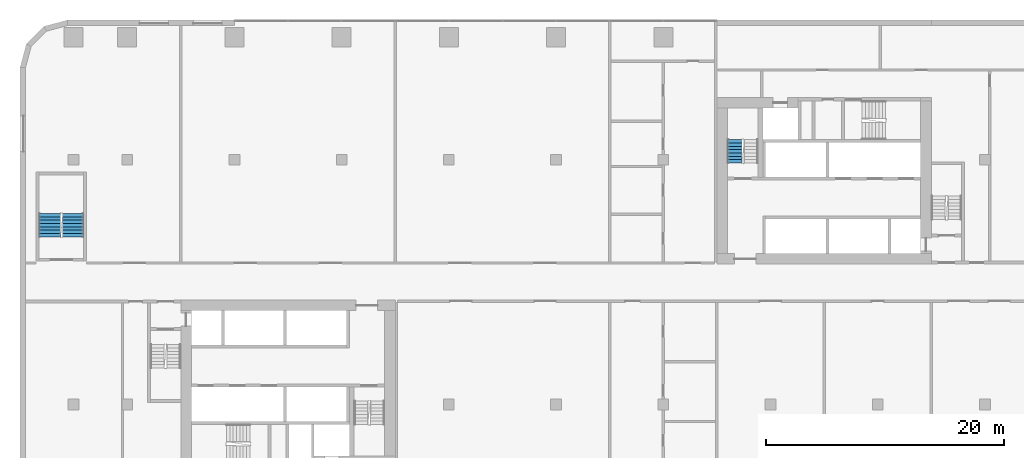
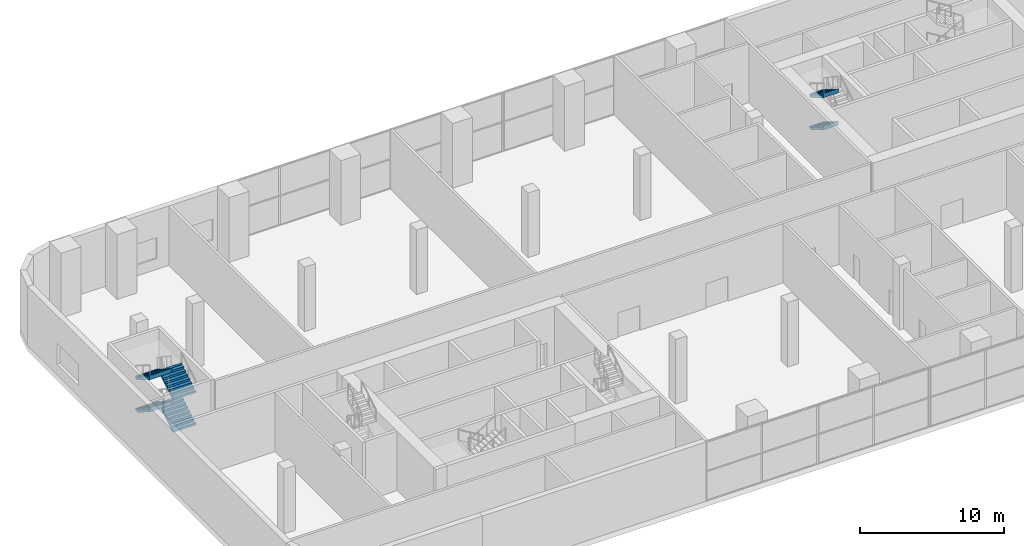
# One storey, part 16 of 21: 6 stair flights, 2 elements without a shape of their own.
"""IFC4 building model written with IfcOpenShell, lengths in metres."""

from ifc_helpers import new_model, si_unit, direction, frame, origin, place, context, subcontext, project, spatial, faceted_brep, material, type_object, element, aggregate, save


model = new_model("IFC4")

# Units and contexts
model_context = context("Model", 3, precision=1e-05, world=origin(), true_north=direction((0.0, 1.0)))
body_context = subcontext(model_context, "Body", "Model", "MODEL_VIEW")
ifc_project = project(units=[si_unit("LENGTHUNIT", "METRE"), si_unit("AREAUNIT", "SQUARE_METRE"), si_unit("VOLUMEUNIT", "CUBIC_METRE"), si_unit("PLANEANGLEUNIT", "RADIAN"), si_unit("MASSUNIT", "GRAM", prefix="KILO")], contexts=[model_context])

# Site, building, storey
site_placement = place(None, origin())
site = spatial("IfcSite", under=ifc_project, at=site_placement, CompositionType="ELEMENT")
building_placement = place(site_placement, origin())
building = spatial("IfcBuilding", under=site, at=building_placement, Name="Kajstack Hotel Tower", CompositionType="ELEMENT")
storey_placement = place(building_placement, frame((0.0, 0.0, 23.5)))
storey = spatial("IfcBuildingStorey", under=building, at=storey_placement, Name="L03", CompositionType="ELEMENT", Elevation=23.5)

# Stair, stair flights
ifc_material = material(Name="Concrete C40/50", Category="concrete")
stair_type_1 = type_object("IfcStairType", Name="Escape stair 1800", PredefinedType="HALF_TURN_STAIR", material=ifc_material)
stair_1_placement = place(storey_placement, origin())
stair_1 = element("IfcStair", 1, at=stair_1_placement, inside=storey, type_object=stair_type_1, Name="L03 stair P1", PredefinedType="HALF_TURN_STAIR")
stair_flight_type_1 = type_object("IfcStairFlightType", Name="Escape stair flight 1800", PredefinedType="STRAIGHT", material=ifc_material)
stair_flight_1_placement = place(storey_placement, frame((-40.550048828125, 3.800048828125, 0.0), z_axis=(0.0, 0.0, 1.0), x_axis=(0.0, 1.0, 0.0)))
stair_flight_1 = element("IfcStairFlight", 2, at=stair_flight_1_placement, type_object=stair_flight_type_1, Name="P1 flight 1", NumberOfRisers=8, NumberOfTreads=7, PredefinedType="STRAIGHT", RiserHeight=0.171875, TreadLength=0.28, context=body_context, shape_type="Brep", body=[
    faceted_brep([(0.287109375, -0.89990234375, 0.0), (1.96044921875, -0.89990234375, 1.02734375), (1.96044921875, -0.89990234375, 1.375), (1.9599609375, -0.89990234375, 1.375), (1.9599609375, -0.89990234375, 1.203125), (1.679931640625, -0.89990234375, 1.203125), (1.679931640625, -0.89990234375, 1.03125), (1.39990234375, -0.89990234375, 1.03125), (1.39990234375, -0.89990234375, 0.859375), (1.1201171875, -0.89990234375, 0.859375), (1.1201171875, -0.89990234375, 0.6875), (0.840087890625, -0.89990234375, 0.6875), (0.840087890625, -0.89990234375, 0.515625), (0.56005859375, -0.89990234375, 0.515625), (0.56005859375, -0.89990234375, 0.34375), (0.280029296875, -0.89990234375, 0.34375), (0.280029296875, -0.89990234375, 0.171875), (-0.00048828125, -0.89990234375, 0.171875), (-0.00048828125, -0.89990234375, 0.0), (-0.00048828125, 0.89990234375, 0.0), (-0.00048828125, 0.89990234375, 0.171875), (0.280029296875, 0.89990234375, 0.171875), (0.280029296875, 0.89990234375, 0.34375), (0.56005859375, 0.89990234375, 0.34375), (0.56005859375, 0.89990234375, 0.515625), (0.840087890625, 0.89990234375, 0.515625), (0.840087890625, 0.89990234375, 0.6875), (1.1201171875, 0.89990234375, 0.6875), (1.1201171875, 0.89990234375, 0.859375), (1.39990234375, 0.89990234375, 0.859375), (1.39990234375, 0.89990234375, 1.03125), (1.679931640625, 0.89990234375, 1.03125), (1.679931640625, 0.89990234375, 1.203125), (1.9599609375, 0.89990234375, 1.203125), (1.9599609375, 0.89990234375, 1.375), (1.96044921875, 0.89990234375, 1.375), (1.96044921875, 0.89990234375, 1.02734375), (0.287109375, 0.89990234375, 0.0), (-0.00048828125, -0.449951171875, 0.171875), (-0.00048828125, 0.0, 0.171875), (-0.00048828125, 0.449951171875, 0.171875), (-0.00048828125, 0.449951171875, 0.0), (-0.00048828125, 0.0, 0.0), (-0.00048828125, -0.449951171875, 0.0), (0.280029296875, -0.449951171875, 0.171875), (0.280029296875, 0.0, 0.171875), (0.280029296875, 0.449951171875, 0.171875), (0.280029296875, -0.449951171875, 0.34375), (0.280029296875, 0.0, 0.34375), (0.280029296875, 0.449951171875, 0.34375), (0.56005859375, -0.449951171875, 0.34375), (0.56005859375, 0.0, 0.34375), (0.56005859375, 0.449951171875, 0.34375), (0.56005859375, -0.449951171875, 0.515625), (0.56005859375, 0.0, 0.515625), (0.56005859375, 0.449951171875, 0.515625), (0.840087890625, -0.449951171875, 0.515625), (0.840087890625, 0.0, 0.515625), (0.840087890625, 0.449951171875, 0.515625), (0.840087890625, -0.449951171875, 0.6875), (0.840087890625, 0.0, 0.6875), (0.840087890625, 0.449951171875, 0.6875), (1.1201171875, -0.449951171875, 0.6875), (1.1201171875, 0.0, 0.6875), (1.1201171875, 0.449951171875, 0.6875), (1.1201171875, -0.449951171875, 0.859375), (1.1201171875, 0.0, 0.859375), (1.1201171875, 0.449951171875, 0.859375), (1.39990234375, -0.449951171875, 0.859375), (1.39990234375, 0.0, 0.859375), (1.39990234375, 0.449951171875, 0.859375), (1.39990234375, -0.449951171875, 1.03125), (1.39990234375, 0.0, 1.03125), (1.39990234375, 0.449951171875, 1.03125), (1.679931640625, -0.449951171875, 1.03125), (1.679931640625, 0.0, 1.03125), (1.679931640625, 0.449951171875, 1.03125), (1.679931640625, -0.449951171875, 1.203125), (1.679931640625, 0.0, 1.203125), (1.679931640625, 0.449951171875, 1.203125), (1.9599609375, -0.449951171875, 1.203125), (1.9599609375, 0.0, 1.203125), (1.9599609375, 0.449951171875, 1.203125), (1.9599609375, -0.449951171875, 1.375), (1.9599609375, 0.0, 1.375), (1.9599609375, 0.449951171875, 1.375), (1.96044921875, -0.449951171875, 1.375), (1.96044921875, 0.0, 1.375), (1.96044921875, 0.449951171875, 1.375), (1.96044921875, -0.449951171875, 1.02734375), (1.96044921875, 0.0, 1.02734375), (1.96044921875, 0.449951171875, 1.02734375), (0.287109375, -0.449951171875, 0.0), (0.287109375, 0.0, 0.0), (0.287109375, 0.449951171875, 0.0)], [[[0, 1, 2, 3, 4, 5, 6, 7, 8, 9, 10, 11, 12, 13, 14, 15, 16, 17, 18]], [[19, 20, 21, 22, 23, 24, 25, 26, 27, 28, 29, 30, 31, 32, 33, 34, 35, 36, 37]], [[17, 38, 39, 40, 20, 19, 41, 42, 43, 18]], [[16, 44, 45, 46, 21, 20, 40, 39, 38, 17]], [[15, 47, 48, 49, 22, 21, 46, 45, 44, 16]], [[14, 50, 51, 52, 23, 22, 49, 48, 47, 15]], [[13, 53, 54, 55, 24, 23, 52, 51, 50, 14]], [[12, 56, 57, 58, 25, 24, 55, 54, 53, 13]], [[11, 59, 60, 61, 26, 25, 58, 57, 56, 12]], [[10, 62, 63, 64, 27, 26, 61, 60, 59, 11]], [[9, 65, 66, 67, 28, 27, 64, 63, 62, 10]], [[8, 68, 69, 70, 29, 28, 67, 66, 65, 9]], [[7, 71, 72, 73, 30, 29, 70, 69, 68, 8]], [[6, 74, 75, 76, 31, 30, 73, 72, 71, 7]], [[5, 77, 78, 79, 32, 31, 76, 75, 74, 6]], [[4, 80, 81, 82, 33, 32, 79, 78, 77, 5]], [[3, 83, 84, 85, 34, 33, 82, 81, 80, 4]], [[2, 86, 87, 88, 35, 34, 85, 84, 83, 3]], [[1, 89, 90, 91, 36, 35, 88, 87, 86, 2]], [[0, 92, 93, 94, 37, 36, 91, 90, 89, 1]], [[18, 43, 42, 41, 19, 37, 94, 93, 92, 0]]]),
])
stair_flight_2_placement = place(storey_placement, frame((-42.5, 5.760009765625, 1.375), z_axis=(0.0, 0.0, 1.0), x_axis=(0.0, -1.0, 0.0)))
stair_flight_2 = element("IfcStairFlight", 3, at=stair_flight_2_placement, type_object=stair_flight_type_1, Name="P1 flight 2", NumberOfRisers=8, NumberOfTreads=7, PredefinedType="STRAIGHT", RiserHeight=0.171875, TreadLength=0.28, context=body_context, shape_type="Brep", body=[
    faceted_brep([(0.287109375, -0.89990234375, 0.0), (1.96044921875, -0.89990234375, 1.02734375), (1.96044921875, -0.89990234375, 1.375), (1.9599609375, -0.89990234375, 1.375), (1.9599609375, -0.89990234375, 1.203125), (1.679931640625, -0.89990234375, 1.203125), (1.679931640625, -0.89990234375, 1.03125), (1.39990234375, -0.89990234375, 1.03125), (1.39990234375, -0.89990234375, 0.859375), (1.1201171875, -0.89990234375, 0.859375), (1.1201171875, -0.89990234375, 0.6875), (0.840087890625, -0.89990234375, 0.6875), (0.840087890625, -0.89990234375, 0.515625), (0.56005859375, -0.89990234375, 0.515625), (0.56005859375, -0.89990234375, 0.34375), (0.280029296875, -0.89990234375, 0.34375), (0.280029296875, -0.89990234375, 0.171875), (-0.00048828125, -0.89990234375, 0.171875), (-0.00048828125, -0.89990234375, 0.0), (-0.00048828125, 0.89990234375, 0.0), (-0.00048828125, 0.89990234375, 0.171875), (0.280029296875, 0.89990234375, 0.171875), (0.280029296875, 0.89990234375, 0.34375), (0.56005859375, 0.89990234375, 0.34375), (0.56005859375, 0.89990234375, 0.515625), (0.840087890625, 0.89990234375, 0.515625), (0.840087890625, 0.89990234375, 0.6875), (1.1201171875, 0.89990234375, 0.6875), (1.1201171875, 0.89990234375, 0.859375), (1.39990234375, 0.89990234375, 0.859375), (1.39990234375, 0.89990234375, 1.03125), (1.679931640625, 0.89990234375, 1.03125), (1.679931640625, 0.89990234375, 1.203125), (1.9599609375, 0.89990234375, 1.203125), (1.9599609375, 0.89990234375, 1.375), (1.96044921875, 0.89990234375, 1.375), (1.96044921875, 0.89990234375, 1.02734375), (0.287109375, 0.89990234375, 0.0), (-0.00048828125, -0.449951171875, 0.171875), (-0.00048828125, 0.0, 0.171875), (-0.00048828125, 0.449951171875, 0.171875), (-0.00048828125, 0.449951171875, 0.0), (-0.00048828125, 0.0, 0.0), (-0.00048828125, -0.449951171875, 0.0), (0.280029296875, -0.449951171875, 0.171875), (0.280029296875, 0.0, 0.171875), (0.280029296875, 0.449951171875, 0.171875), (0.280029296875, -0.449951171875, 0.34375), (0.280029296875, 0.0, 0.34375), (0.280029296875, 0.449951171875, 0.34375), (0.56005859375, -0.449951171875, 0.34375), (0.56005859375, 0.0, 0.34375), (0.56005859375, 0.449951171875, 0.34375), (0.56005859375, -0.449951171875, 0.515625), (0.56005859375, 0.0, 0.515625), (0.56005859375, 0.449951171875, 0.515625), (0.840087890625, -0.449951171875, 0.515625), (0.840087890625, 0.0, 0.515625), (0.840087890625, 0.449951171875, 0.515625), (0.840087890625, -0.449951171875, 0.6875), (0.840087890625, 0.0, 0.6875), (0.840087890625, 0.449951171875, 0.6875), (1.1201171875, -0.449951171875, 0.6875), (1.1201171875, 0.0, 0.6875), (1.1201171875, 0.449951171875, 0.6875), (1.1201171875, -0.449951171875, 0.859375), (1.1201171875, 0.0, 0.859375), (1.1201171875, 0.449951171875, 0.859375), (1.39990234375, -0.449951171875, 0.859375), (1.39990234375, 0.0, 0.859375), (1.39990234375, 0.449951171875, 0.859375), (1.39990234375, -0.449951171875, 1.03125), (1.39990234375, 0.0, 1.03125), (1.39990234375, 0.449951171875, 1.03125), (1.679931640625, -0.449951171875, 1.03125), (1.679931640625, 0.0, 1.03125), (1.679931640625, 0.449951171875, 1.03125), (1.679931640625, -0.449951171875, 1.203125), (1.679931640625, 0.0, 1.203125), (1.679931640625, 0.449951171875, 1.203125), (1.9599609375, -0.449951171875, 1.203125), (1.9599609375, 0.0, 1.203125), (1.9599609375, 0.449951171875, 1.203125), (1.9599609375, -0.449951171875, 1.375), (1.9599609375, 0.0, 1.375), (1.9599609375, 0.449951171875, 1.375), (1.96044921875, -0.449951171875, 1.375), (1.96044921875, 0.0, 1.375), (1.96044921875, 0.449951171875, 1.375), (1.96044921875, -0.449951171875, 1.02734375), (1.96044921875, 0.0, 1.02734375), (1.96044921875, 0.449951171875, 1.02734375), (0.287109375, -0.449951171875, 0.0), (0.287109375, 0.0, 0.0), (0.287109375, 0.449951171875, 0.0)], [[[0, 1, 2, 3, 4, 5, 6, 7, 8, 9, 10, 11, 12, 13, 14, 15, 16, 17, 18]], [[19, 20, 21, 22, 23, 24, 25, 26, 27, 28, 29, 30, 31, 32, 33, 34, 35, 36, 37]], [[17, 38, 39, 40, 20, 19, 41, 42, 43, 18]], [[16, 44, 45, 46, 21, 20, 40, 39, 38, 17]], [[15, 47, 48, 49, 22, 21, 46, 45, 44, 16]], [[14, 50, 51, 52, 23, 22, 49, 48, 47, 15]], [[13, 53, 54, 55, 24, 23, 52, 51, 50, 14]], [[12, 56, 57, 58, 25, 24, 55, 54, 53, 13]], [[11, 59, 60, 61, 26, 25, 58, 57, 56, 12]], [[10, 62, 63, 64, 27, 26, 61, 60, 59, 11]], [[9, 65, 66, 67, 28, 27, 64, 63, 62, 10]], [[8, 68, 69, 70, 29, 28, 67, 66, 65, 9]], [[7, 71, 72, 73, 30, 29, 70, 69, 68, 8]], [[6, 74, 75, 76, 31, 30, 73, 72, 71, 7]], [[5, 77, 78, 79, 32, 31, 76, 75, 74, 6]], [[4, 80, 81, 82, 33, 32, 79, 78, 77, 5]], [[3, 83, 84, 85, 34, 33, 82, 81, 80, 4]], [[2, 86, 87, 88, 35, 34, 85, 84, 83, 3]], [[1, 89, 90, 91, 36, 35, 88, 87, 86, 2]], [[0, 92, 93, 94, 37, 36, 91, 90, 89, 1]], [[18, 43, 42, 41, 19, 37, 94, 93, 92, 0]]]),
])
stair_flight_3_placement = place(storey_placement, frame((-40.550048828125, 3.800048828125, 2.75), z_axis=(0.0, 0.0, 1.0), x_axis=(0.0, 1.0, 0.0)))
stair_flight_3 = element("IfcStairFlight", 4, at=stair_flight_3_placement, type_object=stair_flight_type_1, Name="P1 flight 3", NumberOfRisers=8, NumberOfTreads=7, PredefinedType="STRAIGHT", RiserHeight=0.171875, TreadLength=0.28, context=body_context, shape_type="Brep", body=[
    faceted_brep([(0.287109375, -0.89990234375, 0.0), (1.96044921875, -0.89990234375, 1.02734375), (1.96044921875, -0.89990234375, 1.375), (1.9599609375, -0.89990234375, 1.375), (1.9599609375, -0.89990234375, 1.203125), (1.679931640625, -0.89990234375, 1.203125), (1.679931640625, -0.89990234375, 1.03125), (1.39990234375, -0.89990234375, 1.03125), (1.39990234375, -0.89990234375, 0.859375), (1.1201171875, -0.89990234375, 0.859375), (1.1201171875, -0.89990234375, 0.6875), (0.840087890625, -0.89990234375, 0.6875), (0.840087890625, -0.89990234375, 0.515625), (0.56005859375, -0.89990234375, 0.515625), (0.56005859375, -0.89990234375, 0.34375), (0.280029296875, -0.89990234375, 0.34375), (0.280029296875, -0.89990234375, 0.171875), (-0.00048828125, -0.89990234375, 0.171875), (-0.00048828125, -0.89990234375, 0.0), (-0.00048828125, 0.89990234375, 0.0), (-0.00048828125, 0.89990234375, 0.171875), (0.280029296875, 0.89990234375, 0.171875), (0.280029296875, 0.89990234375, 0.34375), (0.56005859375, 0.89990234375, 0.34375), (0.56005859375, 0.89990234375, 0.515625), (0.840087890625, 0.89990234375, 0.515625), (0.840087890625, 0.89990234375, 0.6875), (1.1201171875, 0.89990234375, 0.6875), (1.1201171875, 0.89990234375, 0.859375), (1.39990234375, 0.89990234375, 0.859375), (1.39990234375, 0.89990234375, 1.03125), (1.679931640625, 0.89990234375, 1.03125), (1.679931640625, 0.89990234375, 1.203125), (1.9599609375, 0.89990234375, 1.203125), (1.9599609375, 0.89990234375, 1.375), (1.96044921875, 0.89990234375, 1.375), (1.96044921875, 0.89990234375, 1.02734375), (0.287109375, 0.89990234375, 0.0), (-0.00048828125, -0.449951171875, 0.171875), (-0.00048828125, 0.0, 0.171875), (-0.00048828125, 0.449951171875, 0.171875), (-0.00048828125, 0.449951171875, 0.0), (-0.00048828125, 0.0, 0.0), (-0.00048828125, -0.449951171875, 0.0), (0.280029296875, -0.449951171875, 0.171875), (0.280029296875, 0.0, 0.171875), (0.280029296875, 0.449951171875, 0.171875), (0.280029296875, -0.449951171875, 0.34375), (0.280029296875, 0.0, 0.34375), (0.280029296875, 0.449951171875, 0.34375), (0.56005859375, -0.449951171875, 0.34375), (0.56005859375, 0.0, 0.34375), (0.56005859375, 0.449951171875, 0.34375), (0.56005859375, -0.449951171875, 0.515625), (0.56005859375, 0.0, 0.515625), (0.56005859375, 0.449951171875, 0.515625), (0.840087890625, -0.449951171875, 0.515625), (0.840087890625, 0.0, 0.515625), (0.840087890625, 0.449951171875, 0.515625), (0.840087890625, -0.449951171875, 0.6875), (0.840087890625, 0.0, 0.6875), (0.840087890625, 0.449951171875, 0.6875), (1.1201171875, -0.449951171875, 0.6875), (1.1201171875, 0.0, 0.6875), (1.1201171875, 0.449951171875, 0.6875), (1.1201171875, -0.449951171875, 0.859375), (1.1201171875, 0.0, 0.859375), (1.1201171875, 0.449951171875, 0.859375), (1.39990234375, -0.449951171875, 0.859375), (1.39990234375, 0.0, 0.859375), (1.39990234375, 0.449951171875, 0.859375), (1.39990234375, -0.449951171875, 1.03125), (1.39990234375, 0.0, 1.03125), (1.39990234375, 0.449951171875, 1.03125), (1.679931640625, -0.449951171875, 1.03125), (1.679931640625, 0.0, 1.03125), (1.679931640625, 0.449951171875, 1.03125), (1.679931640625, -0.449951171875, 1.203125), (1.679931640625, 0.0, 1.203125), (1.679931640625, 0.449951171875, 1.203125), (1.9599609375, -0.449951171875, 1.203125), (1.9599609375, 0.0, 1.203125), (1.9599609375, 0.449951171875, 1.203125), (1.9599609375, -0.449951171875, 1.375), (1.9599609375, 0.0, 1.375), (1.9599609375, 0.449951171875, 1.375), (1.96044921875, -0.449951171875, 1.375), (1.96044921875, 0.0, 1.375), (1.96044921875, 0.449951171875, 1.375), (1.96044921875, -0.449951171875, 1.02734375), (1.96044921875, 0.0, 1.02734375), (1.96044921875, 0.449951171875, 1.02734375), (0.287109375, -0.449951171875, 0.0), (0.287109375, 0.0, 0.0), (0.287109375, 0.449951171875, 0.0)], [[[0, 1, 2, 3, 4, 5, 6, 7, 8, 9, 10, 11, 12, 13, 14, 15, 16, 17, 18]], [[19, 20, 21, 22, 23, 24, 25, 26, 27, 28, 29, 30, 31, 32, 33, 34, 35, 36, 37]], [[17, 38, 39, 40, 20, 19, 41, 42, 43, 18]], [[16, 44, 45, 46, 21, 20, 40, 39, 38, 17]], [[15, 47, 48, 49, 22, 21, 46, 45, 44, 16]], [[14, 50, 51, 52, 23, 22, 49, 48, 47, 15]], [[13, 53, 54, 55, 24, 23, 52, 51, 50, 14]], [[12, 56, 57, 58, 25, 24, 55, 54, 53, 13]], [[11, 59, 60, 61, 26, 25, 58, 57, 56, 12]], [[10, 62, 63, 64, 27, 26, 61, 60, 59, 11]], [[9, 65, 66, 67, 28, 27, 64, 63, 62, 10]], [[8, 68, 69, 70, 29, 28, 67, 66, 65, 9]], [[7, 71, 72, 73, 30, 29, 70, 69, 68, 8]], [[6, 74, 75, 76, 31, 30, 73, 72, 71, 7]], [[5, 77, 78, 79, 32, 31, 76, 75, 74, 6]], [[4, 80, 81, 82, 33, 32, 79, 78, 77, 5]], [[3, 83, 84, 85, 34, 33, 82, 81, 80, 4]], [[2, 86, 87, 88, 35, 34, 85, 84, 83, 3]], [[1, 89, 90, 91, 36, 35, 88, 87, 86, 2]], [[0, 92, 93, 94, 37, 36, 91, 90, 89, 1]], [[18, 43, 42, 41, 19, 37, 94, 93, 92, 0]]]),
])
stair_flight_4_placement = place(storey_placement, frame((-42.5, 5.760009765625, 4.125), z_axis=(0.0, 0.0, 1.0), x_axis=(0.0, -1.0, 0.0)))
stair_flight_4 = element("IfcStairFlight", 5, at=stair_flight_4_placement, type_object=stair_flight_type_1, Name="P1 flight 4", NumberOfRisers=8, NumberOfTreads=7, PredefinedType="STRAIGHT", RiserHeight=0.171875, TreadLength=0.28, context=body_context, shape_type="Brep", body=[
    faceted_brep([(0.287109375, -0.89990234375, 0.0), (1.96044921875, -0.89990234375, 1.02734375), (1.96044921875, -0.89990234375, 1.375), (1.9599609375, -0.89990234375, 1.375), (1.9599609375, -0.89990234375, 1.203125), (1.679931640625, -0.89990234375, 1.203125), (1.679931640625, -0.89990234375, 1.03125), (1.39990234375, -0.89990234375, 1.03125), (1.39990234375, -0.89990234375, 0.859375), (1.1201171875, -0.89990234375, 0.859375), (1.1201171875, -0.89990234375, 0.6875), (0.840087890625, -0.89990234375, 0.6875), (0.840087890625, -0.89990234375, 0.515625), (0.56005859375, -0.89990234375, 0.515625), (0.56005859375, -0.89990234375, 0.34375), (0.280029296875, -0.89990234375, 0.34375), (0.280029296875, -0.89990234375, 0.171875), (-0.00048828125, -0.89990234375, 0.171875), (-0.00048828125, -0.89990234375, 0.0), (-0.00048828125, 0.89990234375, 0.0), (-0.00048828125, 0.89990234375, 0.171875), (0.280029296875, 0.89990234375, 0.171875), (0.280029296875, 0.89990234375, 0.34375), (0.56005859375, 0.89990234375, 0.34375), (0.56005859375, 0.89990234375, 0.515625), (0.840087890625, 0.89990234375, 0.515625), (0.840087890625, 0.89990234375, 0.6875), (1.1201171875, 0.89990234375, 0.6875), (1.1201171875, 0.89990234375, 0.859375), (1.39990234375, 0.89990234375, 0.859375), (1.39990234375, 0.89990234375, 1.03125), (1.679931640625, 0.89990234375, 1.03125), (1.679931640625, 0.89990234375, 1.203125), (1.9599609375, 0.89990234375, 1.203125), (1.9599609375, 0.89990234375, 1.375), (1.96044921875, 0.89990234375, 1.375), (1.96044921875, 0.89990234375, 1.02734375), (0.287109375, 0.89990234375, 0.0), (-0.00048828125, -0.449951171875, 0.171875), (-0.00048828125, 0.0, 0.171875), (-0.00048828125, 0.449951171875, 0.171875), (-0.00048828125, 0.449951171875, 0.0), (-0.00048828125, 0.0, 0.0), (-0.00048828125, -0.449951171875, 0.0), (0.280029296875, -0.449951171875, 0.171875), (0.280029296875, 0.0, 0.171875), (0.280029296875, 0.449951171875, 0.171875), (0.280029296875, -0.449951171875, 0.34375), (0.280029296875, 0.0, 0.34375), (0.280029296875, 0.449951171875, 0.34375), (0.56005859375, -0.449951171875, 0.34375), (0.56005859375, 0.0, 0.34375), (0.56005859375, 0.449951171875, 0.34375), (0.56005859375, -0.449951171875, 0.515625), (0.56005859375, 0.0, 0.515625), (0.56005859375, 0.449951171875, 0.515625), (0.840087890625, -0.449951171875, 0.515625), (0.840087890625, 0.0, 0.515625), (0.840087890625, 0.449951171875, 0.515625), (0.840087890625, -0.449951171875, 0.6875), (0.840087890625, 0.0, 0.6875), (0.840087890625, 0.449951171875, 0.6875), (1.1201171875, -0.449951171875, 0.6875), (1.1201171875, 0.0, 0.6875), (1.1201171875, 0.449951171875, 0.6875), (1.1201171875, -0.449951171875, 0.859375), (1.1201171875, 0.0, 0.859375), (1.1201171875, 0.449951171875, 0.859375), (1.39990234375, -0.449951171875, 0.859375), (1.39990234375, 0.0, 0.859375), (1.39990234375, 0.449951171875, 0.859375), (1.39990234375, -0.449951171875, 1.03125), (1.39990234375, 0.0, 1.03125), (1.39990234375, 0.449951171875, 1.03125), (1.679931640625, -0.449951171875, 1.03125), (1.679931640625, 0.0, 1.03125), (1.679931640625, 0.449951171875, 1.03125), (1.679931640625, -0.449951171875, 1.203125), (1.679931640625, 0.0, 1.203125), (1.679931640625, 0.449951171875, 1.203125), (1.9599609375, -0.449951171875, 1.203125), (1.9599609375, 0.0, 1.203125), (1.9599609375, 0.449951171875, 1.203125), (1.9599609375, -0.449951171875, 1.375), (1.9599609375, 0.0, 1.375), (1.9599609375, 0.449951171875, 1.375), (1.96044921875, -0.449951171875, 1.375), (1.96044921875, 0.0, 1.375), (1.96044921875, 0.449951171875, 1.375), (1.96044921875, -0.449951171875, 1.02734375), (1.96044921875, 0.0, 1.02734375), (1.96044921875, 0.449951171875, 1.02734375), (0.287109375, -0.449951171875, 0.0), (0.287109375, 0.0, 0.0), (0.287109375, 0.449951171875, 0.0)], [[[0, 1, 2, 3, 4, 5, 6, 7, 8, 9, 10, 11, 12, 13, 14, 15, 16, 17, 18]], [[19, 20, 21, 22, 23, 24, 25, 26, 27, 28, 29, 30, 31, 32, 33, 34, 35, 36, 37]], [[17, 38, 39, 40, 20, 19, 41, 42, 43, 18]], [[16, 44, 45, 46, 21, 20, 40, 39, 38, 17]], [[15, 47, 48, 49, 22, 21, 46, 45, 44, 16]], [[14, 50, 51, 52, 23, 22, 49, 48, 47, 15]], [[13, 53, 54, 55, 24, 23, 52, 51, 50, 14]], [[12, 56, 57, 58, 25, 24, 55, 54, 53, 13]], [[11, 59, 60, 61, 26, 25, 58, 57, 56, 12]], [[10, 62, 63, 64, 27, 26, 61, 60, 59, 11]], [[9, 65, 66, 67, 28, 27, 64, 63, 62, 10]], [[8, 68, 69, 70, 29, 28, 67, 66, 65, 9]], [[7, 71, 72, 73, 30, 29, 70, 69, 68, 8]], [[6, 74, 75, 76, 31, 30, 73, 72, 71, 7]], [[5, 77, 78, 79, 32, 31, 76, 75, 74, 6]], [[4, 80, 81, 82, 33, 32, 79, 78, 77, 5]], [[3, 83, 84, 85, 34, 33, 82, 81, 80, 4]], [[2, 86, 87, 88, 35, 34, 85, 84, 83, 3]], [[1, 89, 90, 91, 36, 35, 88, 87, 86, 2]], [[0, 92, 93, 94, 37, 36, 91, 90, 89, 1]], [[18, 43, 42, 41, 19, 37, 94, 93, 92, 0]]]),
])
aggregate(stair_1, [stair_flight_1, stair_flight_2, stair_flight_3, stair_flight_4])

stair_type_2 = type_object("IfcStairType", Name="Exit stair 1200", PredefinedType="HALF_TURN_STAIR", material=ifc_material)
stair_2_placement = place(storey_placement, origin())
stair_2 = element("IfcStair", 6, at=stair_2_placement, inside=storey, type_object=stair_type_2, Name="L03 stair E2", PredefinedType="HALF_TURN_STAIR")
stair_flight_type_2 = type_object("IfcStairFlightType", Name="Exit stair flight 1200", PredefinedType="STRAIGHT", material=ifc_material)
stair_flight_5_placement = place(storey_placement, frame((15.0, 11.9599609375, 1.375), z_axis=(0.0, 0.0, 1.0), x_axis=(0.0, -1.0, 0.0)))
stair_flight_5 = element("IfcStairFlight", 7, at=stair_flight_5_placement, type_object=stair_flight_type_2, Name="E2 flight 2", NumberOfRisers=8, NumberOfTreads=7, PredefinedType="STRAIGHT", RiserHeight=0.171875, TreadLength=0.28, context=body_context, shape_type="Brep", body=[
    faceted_brep([(0.287109375, -0.60009765625, 0.0), (1.96044921875, -0.60009765625, 1.02734375), (1.96044921875, -0.60009765625, 1.375), (1.9599609375, -0.60009765625, 1.375), (1.9599609375, -0.60009765625, 1.203125), (1.679931640625, -0.60009765625, 1.203125), (1.679931640625, -0.60009765625, 1.03125), (1.39990234375, -0.60009765625, 1.03125), (1.39990234375, -0.60009765625, 0.859375), (1.1201171875, -0.60009765625, 0.859375), (1.1201171875, -0.60009765625, 0.6875), (0.840087890625, -0.60009765625, 0.6875), (0.840087890625, -0.60009765625, 0.515625), (0.56005859375, -0.60009765625, 0.515625), (0.56005859375, -0.60009765625, 0.34375), (0.280029296875, -0.60009765625, 0.34375), (0.280029296875, -0.60009765625, 0.171875), (-0.00048828125, -0.60009765625, 0.171875), (-0.00048828125, -0.60009765625, 0.0), (-0.00048828125, 0.60009765625, 0.0), (-0.00048828125, 0.60009765625, 0.171875), (0.280029296875, 0.60009765625, 0.171875), (0.280029296875, 0.60009765625, 0.34375), (0.56005859375, 0.60009765625, 0.34375), (0.56005859375, 0.60009765625, 0.515625), (0.840087890625, 0.60009765625, 0.515625), (0.840087890625, 0.60009765625, 0.6875), (1.1201171875, 0.60009765625, 0.6875), (1.1201171875, 0.60009765625, 0.859375), (1.39990234375, 0.60009765625, 0.859375), (1.39990234375, 0.60009765625, 1.03125), (1.679931640625, 0.60009765625, 1.03125), (1.679931640625, 0.60009765625, 1.203125), (1.9599609375, 0.60009765625, 1.203125), (1.9599609375, 0.60009765625, 1.375), (1.96044921875, 0.60009765625, 1.375), (1.96044921875, 0.60009765625, 1.02734375), (0.287109375, 0.60009765625, 0.0), (-0.00048828125, -0.300048828125, 0.171875), (-0.00048828125, 0.0, 0.171875), (-0.00048828125, 0.300048828125, 0.171875), (-0.00048828125, 0.300048828125, 0.0), (-0.00048828125, 0.0, 0.0), (-0.00048828125, -0.300048828125, 0.0), (0.280029296875, -0.300048828125, 0.171875), (0.280029296875, 0.0, 0.171875), (0.280029296875, 0.300048828125, 0.171875), (0.280029296875, -0.300048828125, 0.34375), (0.280029296875, 0.0, 0.34375), (0.280029296875, 0.300048828125, 0.34375), (0.56005859375, -0.300048828125, 0.34375), (0.56005859375, 0.0, 0.34375), (0.56005859375, 0.300048828125, 0.34375), (0.56005859375, -0.300048828125, 0.515625), (0.56005859375, 0.0, 0.515625), (0.56005859375, 0.300048828125, 0.515625), (0.840087890625, -0.300048828125, 0.515625), (0.840087890625, 0.0, 0.515625), (0.840087890625, 0.300048828125, 0.515625), (0.840087890625, -0.300048828125, 0.6875), (0.840087890625, 0.0, 0.6875), (0.840087890625, 0.300048828125, 0.6875), (1.1201171875, -0.300048828125, 0.6875), (1.1201171875, 0.0, 0.6875), (1.1201171875, 0.300048828125, 0.6875), (1.1201171875, -0.300048828125, 0.859375), (1.1201171875, 0.0, 0.859375), (1.1201171875, 0.300048828125, 0.859375), (1.39990234375, -0.300048828125, 0.859375), (1.39990234375, 0.0, 0.859375), (1.39990234375, 0.300048828125, 0.859375), (1.39990234375, -0.300048828125, 1.03125), (1.39990234375, 0.0, 1.03125), (1.39990234375, 0.300048828125, 1.03125), (1.679931640625, -0.300048828125, 1.03125), (1.679931640625, 0.0, 1.03125), (1.679931640625, 0.300048828125, 1.03125), (1.679931640625, -0.300048828125, 1.203125), (1.679931640625, 0.0, 1.203125), (1.679931640625, 0.300048828125, 1.203125), (1.9599609375, -0.300048828125, 1.203125), (1.9599609375, 0.0, 1.203125), (1.9599609375, 0.300048828125, 1.203125), (1.9599609375, -0.300048828125, 1.375), (1.9599609375, 0.0, 1.375), (1.9599609375, 0.300048828125, 1.375), (1.96044921875, -0.300048828125, 1.375), (1.96044921875, 0.0, 1.375), (1.96044921875, 0.300048828125, 1.375), (1.96044921875, -0.300048828125, 1.02734375), (1.96044921875, 0.0, 1.02734375), (1.96044921875, 0.300048828125, 1.02734375), (0.287109375, -0.300048828125, 0.0), (0.287109375, 0.0, 0.0), (0.287109375, 0.300048828125, 0.0)], [[[0, 1, 2, 3, 4, 5, 6, 7, 8, 9, 10, 11, 12, 13, 14, 15, 16, 17, 18]], [[19, 20, 21, 22, 23, 24, 25, 26, 27, 28, 29, 30, 31, 32, 33, 34, 35, 36, 37]], [[17, 38, 39, 40, 20, 19, 41, 42, 43, 18]], [[16, 44, 45, 46, 21, 20, 40, 39, 38, 17]], [[15, 47, 48, 49, 22, 21, 46, 45, 44, 16]], [[14, 50, 51, 52, 23, 22, 49, 48, 47, 15]], [[13, 53, 54, 55, 24, 23, 52, 51, 50, 14]], [[12, 56, 57, 58, 25, 24, 55, 54, 53, 13]], [[11, 59, 60, 61, 26, 25, 58, 57, 56, 12]], [[10, 62, 63, 64, 27, 26, 61, 60, 59, 11]], [[9, 65, 66, 67, 28, 27, 64, 63, 62, 10]], [[8, 68, 69, 70, 29, 28, 67, 66, 65, 9]], [[7, 71, 72, 73, 30, 29, 70, 69, 68, 8]], [[6, 74, 75, 76, 31, 30, 73, 72, 71, 7]], [[5, 77, 78, 79, 32, 31, 76, 75, 74, 6]], [[4, 80, 81, 82, 33, 32, 79, 78, 77, 5]], [[3, 83, 84, 85, 34, 33, 82, 81, 80, 4]], [[2, 86, 87, 88, 35, 34, 85, 84, 83, 3]], [[1, 89, 90, 91, 36, 35, 88, 87, 86, 2]], [[0, 92, 93, 94, 37, 36, 91, 90, 89, 1]], [[18, 43, 42, 41, 19, 37, 94, 93, 92, 0]]]),
])
stair_flight_6_placement = place(storey_placement, frame((15.0, 11.9599609375, 4.125), z_axis=(0.0, 0.0, 1.0), x_axis=(0.0, -1.0, 0.0)))
stair_flight_6 = element("IfcStairFlight", 8, at=stair_flight_6_placement, type_object=stair_flight_type_2, Name="E2 flight 4", NumberOfRisers=8, NumberOfTreads=7, PredefinedType="STRAIGHT", RiserHeight=0.171875, TreadLength=0.28, context=body_context, shape_type="Brep", body=[
    faceted_brep([(0.287109375, -0.60009765625, 0.0), (1.96044921875, -0.60009765625, 1.02734375), (1.96044921875, -0.60009765625, 1.375), (1.9599609375, -0.60009765625, 1.375), (1.9599609375, -0.60009765625, 1.203125), (1.679931640625, -0.60009765625, 1.203125), (1.679931640625, -0.60009765625, 1.03125), (1.39990234375, -0.60009765625, 1.03125), (1.39990234375, -0.60009765625, 0.859375), (1.1201171875, -0.60009765625, 0.859375), (1.1201171875, -0.60009765625, 0.6875), (0.840087890625, -0.60009765625, 0.6875), (0.840087890625, -0.60009765625, 0.515625), (0.56005859375, -0.60009765625, 0.515625), (0.56005859375, -0.60009765625, 0.34375), (0.280029296875, -0.60009765625, 0.34375), (0.280029296875, -0.60009765625, 0.171875), (-0.00048828125, -0.60009765625, 0.171875), (-0.00048828125, -0.60009765625, 0.0), (-0.00048828125, 0.60009765625, 0.0), (-0.00048828125, 0.60009765625, 0.171875), (0.280029296875, 0.60009765625, 0.171875), (0.280029296875, 0.60009765625, 0.34375), (0.56005859375, 0.60009765625, 0.34375), (0.56005859375, 0.60009765625, 0.515625), (0.840087890625, 0.60009765625, 0.515625), (0.840087890625, 0.60009765625, 0.6875), (1.1201171875, 0.60009765625, 0.6875), (1.1201171875, 0.60009765625, 0.859375), (1.39990234375, 0.60009765625, 0.859375), (1.39990234375, 0.60009765625, 1.03125), (1.679931640625, 0.60009765625, 1.03125), (1.679931640625, 0.60009765625, 1.203125), (1.9599609375, 0.60009765625, 1.203125), (1.9599609375, 0.60009765625, 1.375), (1.96044921875, 0.60009765625, 1.375), (1.96044921875, 0.60009765625, 1.02734375), (0.287109375, 0.60009765625, 0.0), (-0.00048828125, -0.300048828125, 0.171875), (-0.00048828125, 0.0, 0.171875), (-0.00048828125, 0.300048828125, 0.171875), (-0.00048828125, 0.300048828125, 0.0), (-0.00048828125, 0.0, 0.0), (-0.00048828125, -0.300048828125, 0.0), (0.280029296875, -0.300048828125, 0.171875), (0.280029296875, 0.0, 0.171875), (0.280029296875, 0.300048828125, 0.171875), (0.280029296875, -0.300048828125, 0.34375), (0.280029296875, 0.0, 0.34375), (0.280029296875, 0.300048828125, 0.34375), (0.56005859375, -0.300048828125, 0.34375), (0.56005859375, 0.0, 0.34375), (0.56005859375, 0.300048828125, 0.34375), (0.56005859375, -0.300048828125, 0.515625), (0.56005859375, 0.0, 0.515625), (0.56005859375, 0.300048828125, 0.515625), (0.840087890625, -0.300048828125, 0.515625), (0.840087890625, 0.0, 0.515625), (0.840087890625, 0.300048828125, 0.515625), (0.840087890625, -0.300048828125, 0.6875), (0.840087890625, 0.0, 0.6875), (0.840087890625, 0.300048828125, 0.6875), (1.1201171875, -0.300048828125, 0.6875), (1.1201171875, 0.0, 0.6875), (1.1201171875, 0.300048828125, 0.6875), (1.1201171875, -0.300048828125, 0.859375), (1.1201171875, 0.0, 0.859375), (1.1201171875, 0.300048828125, 0.859375), (1.39990234375, -0.300048828125, 0.859375), (1.39990234375, 0.0, 0.859375), (1.39990234375, 0.300048828125, 0.859375), (1.39990234375, -0.300048828125, 1.03125), (1.39990234375, 0.0, 1.03125), (1.39990234375, 0.300048828125, 1.03125), (1.679931640625, -0.300048828125, 1.03125), (1.679931640625, 0.0, 1.03125), (1.679931640625, 0.300048828125, 1.03125), (1.679931640625, -0.300048828125, 1.203125), (1.679931640625, 0.0, 1.203125), (1.679931640625, 0.300048828125, 1.203125), (1.9599609375, -0.300048828125, 1.203125), (1.9599609375, 0.0, 1.203125), (1.9599609375, 0.300048828125, 1.203125), (1.9599609375, -0.300048828125, 1.375), (1.9599609375, 0.0, 1.375), (1.9599609375, 0.300048828125, 1.375), (1.96044921875, -0.300048828125, 1.375), (1.96044921875, 0.0, 1.375), (1.96044921875, 0.300048828125, 1.375), (1.96044921875, -0.300048828125, 1.02734375), (1.96044921875, 0.0, 1.02734375), (1.96044921875, 0.300048828125, 1.02734375), (0.287109375, -0.300048828125, 0.0), (0.287109375, 0.0, 0.0), (0.287109375, 0.300048828125, 0.0)], [[[0, 1, 2, 3, 4, 5, 6, 7, 8, 9, 10, 11, 12, 13, 14, 15, 16, 17, 18]], [[19, 20, 21, 22, 23, 24, 25, 26, 27, 28, 29, 30, 31, 32, 33, 34, 35, 36, 37]], [[17, 38, 39, 40, 20, 19, 41, 42, 43, 18]], [[16, 44, 45, 46, 21, 20, 40, 39, 38, 17]], [[15, 47, 48, 49, 22, 21, 46, 45, 44, 16]], [[14, 50, 51, 52, 23, 22, 49, 48, 47, 15]], [[13, 53, 54, 55, 24, 23, 52, 51, 50, 14]], [[12, 56, 57, 58, 25, 24, 55, 54, 53, 13]], [[11, 59, 60, 61, 26, 25, 58, 57, 56, 12]], [[10, 62, 63, 64, 27, 26, 61, 60, 59, 11]], [[9, 65, 66, 67, 28, 27, 64, 63, 62, 10]], [[8, 68, 69, 70, 29, 28, 67, 66, 65, 9]], [[7, 71, 72, 73, 30, 29, 70, 69, 68, 8]], [[6, 74, 75, 76, 31, 30, 73, 72, 71, 7]], [[5, 77, 78, 79, 32, 31, 76, 75, 74, 6]], [[4, 80, 81, 82, 33, 32, 79, 78, 77, 5]], [[3, 83, 84, 85, 34, 33, 82, 81, 80, 4]], [[2, 86, 87, 88, 35, 34, 85, 84, 83, 3]], [[1, 89, 90, 91, 36, 35, 88, 87, 86, 2]], [[0, 92, 93, 94, 37, 36, 91, 90, 89, 1]], [[18, 43, 42, 41, 19, 37, 94, 93, 92, 0]]]),
])
aggregate(stair_2, [stair_flight_5, stair_flight_6])

save(model, "model.ifc")
